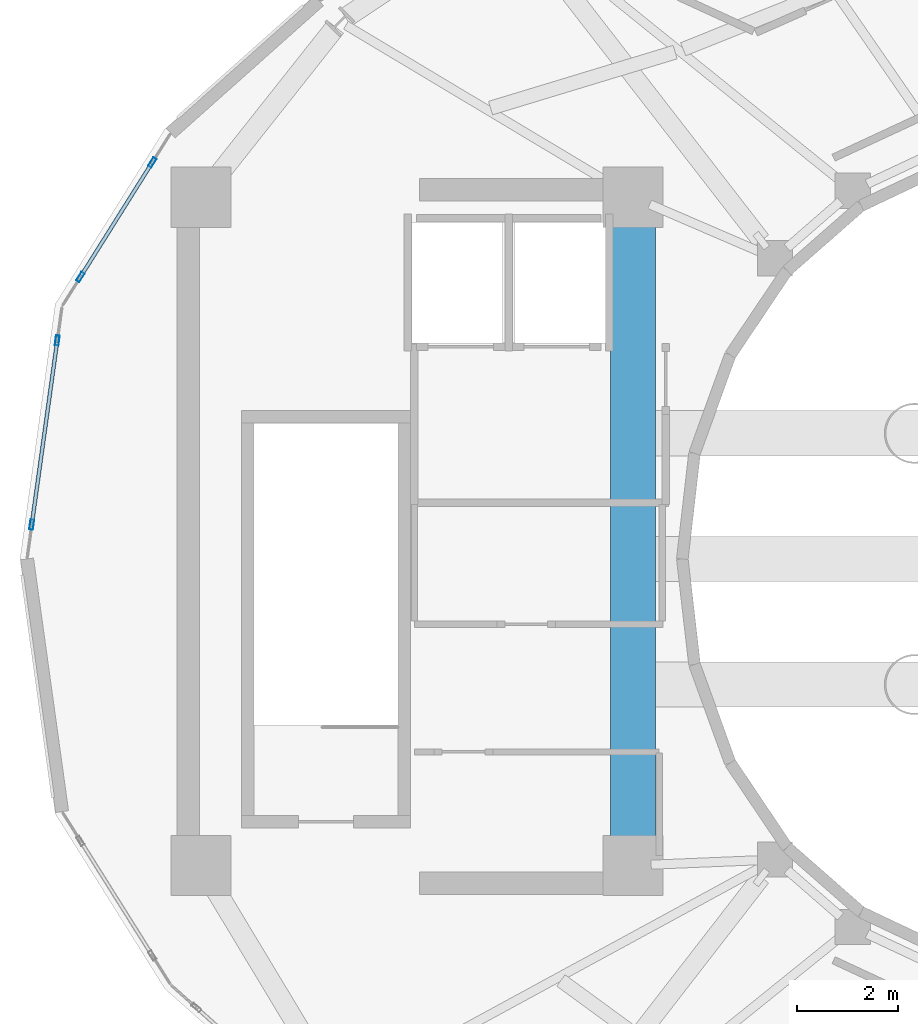
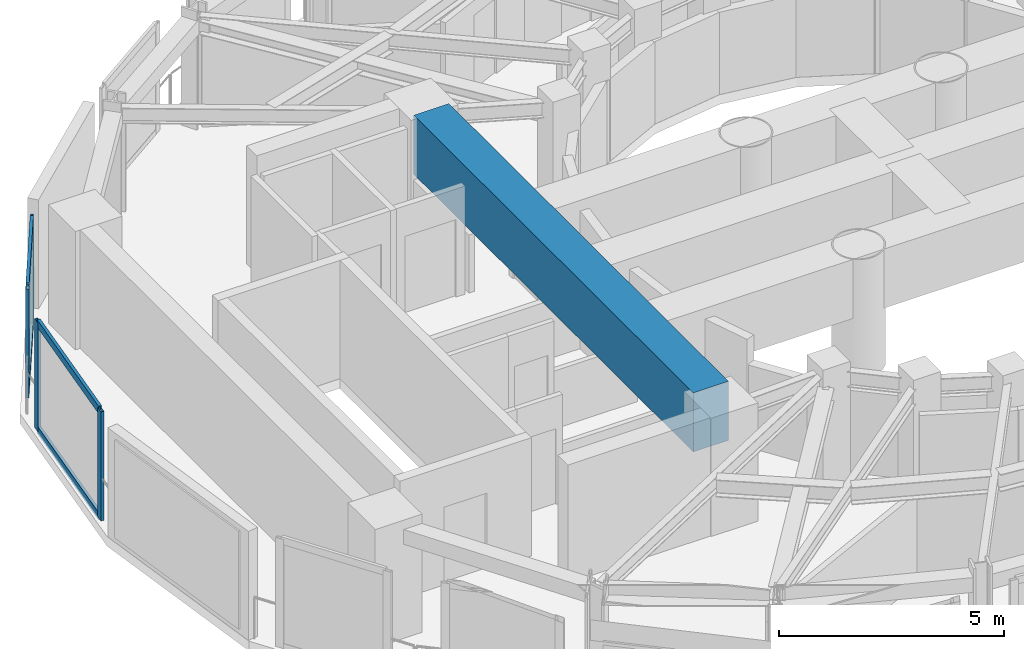
# One storey, part 8 of 17: 8 members, 1 beam, 2 elements without a shape of their own.
"""IFC4 building model written with IfcOpenShell, lengths in metres."""

from ifc_helpers import new_model, si_unit, direction, frame, origin, origin_2d, place, context, subcontext, project, spatial, rectangle, hollow_rectangle, extrude, material, layer, layer_set, material_profile, profile_set, type_object, element, aggregate, save


model = new_model("IFC4")

# Units and contexts
model_context = context("Model", 3, precision=1e-05, world=origin(), true_north=direction((0.0, 1.0)))
body_context = subcontext(model_context, "Body", "Model", "MODEL_VIEW")
ifc_project = project(units=[si_unit("LENGTHUNIT", "METRE"), si_unit("AREAUNIT", "SQUARE_METRE"), si_unit("VOLUMEUNIT", "CUBIC_METRE"), si_unit("PLANEANGLEUNIT", "RADIAN"), si_unit("MASSUNIT", "GRAM", prefix="KILO")], contexts=[model_context])

# Site, building, storey
site_placement = place(None, origin())
site = spatial("IfcSite", under=ifc_project, at=site_placement, CompositionType="ELEMENT")
building_placement = place(site_placement, origin())
building = spatial("IfcBuilding", under=site, at=building_placement, Name="Solvane Sanctuary Tower", CompositionType="ELEMENT")
storey_placement = place(building_placement, frame((0.0, 0.0, 276.39990234375)))
storey = spatial("IfcBuildingStorey", under=building, at=storey_placement, Name="L84", CompositionType="ELEMENT", Elevation=276.39990234375)

# Beam
ifc_material_1 = material(Name="Concrete C60/75", Category="concrete")
ifc_material_profile_1 = material_profile(ifc_material_1, rectangle(XDim=0.89990234375, YDim=1.60009765625, at=origin_2d()), Name="RC900X1600")
ifc_profile_set_1 = profile_set([ifc_material_profile_1], Name="Concrete C60/75")
beam_type = type_object("IfcBeamType", Name="Beam B-XFER-SP RC900X1600", PredefinedType="BEAM", material=ifc_profile_set_1)
beam_placement = place(storey_placement, frame((23.89990234375, 17.35009765625, 2.400146484375), z_axis=(0.0, 1.0, 0.0), x_axis=(-1.0, 0.0, 0.0)))
element("IfcBeam", 1, at=beam_placement, inside=storey, type_object=beam_type, Name="L84 Roof Spire West Core Girder", PredefinedType="BEAM", context=body_context, shape_type="SweptSolid", body=[
    extrude(rectangle(XDim=0.89990234375, YDim=1.60009765625, at=origin_2d()), origin(), (0.0, 0.0, 1.0), 12.39990234375),
])

# Curtain wall, members
ifc_material_2 = material(Name="Anodised Aluminium 6063-T6", Category="aluminium")
ifc_layer = layer(ifc_material_2, 0.219970703125, Name="Anodised Aluminium 6063-T6")
ifc_layer_set = layer_set([ifc_layer], Name="Anodised Aluminium 6063-T6")
curtain_wall_type = type_object("IfcCurtainWallType", Name="Curtain Wall CW-CROWN", PredefinedType="NOTDEFINED", material=ifc_layer_set)
curtain_wall_1_placement = place(storey_placement, origin())
curtain_wall_1 = element("IfcCurtainWall", 2, at=curtain_wall_1_placement, inside=storey, type_object=curtain_wall_type, Name="L84 Crown Fritted Lantern Curtain Wall 10", PredefinedType="NOTDEFINED")
ifc_material_profile_2 = material_profile(ifc_material_2, hollow_rectangle(XDim=0.074951171875, YDim=0.199951171875, WallThickness=0.00390625, at=origin_2d()), Name="ALU200X75X4")
ifc_profile_set_2 = profile_set([ifc_material_profile_2], Name="Anodised Aluminium 6063-T6")
member_type_1 = type_object("IfcMemberType", Name="Member M-CW-MUL-1 ALU200X75X4", PredefinedType="MULLION", material=ifc_profile_set_2)
member_1_placement = place(storey_placement, frame((14.332763671875, 30.89111328125, 0.0), z_axis=(0.0, 0.0, 1.0), x_axis=(0.847126400009, -0.531391439909, 0.0)))
member_1 = element("IfcMember", 3, at=member_1_placement, type_object=member_type_1, Name="CW-CROWN mullion 1", PredefinedType="MULLION", context=body_context, shape_type="SweptSolid", body=[
    extrude(hollow_rectangle(XDim=0.074951171875, YDim=0.199951171875, WallThickness=0.00390625, at=origin_2d()), origin(), (0.0, 0.0, 1.0), 2.9501953125),
])
member_2_placement = place(storey_placement, frame((12.90185546875, 28.610107421875, 0.0), z_axis=(0.0, 0.0, 1.0), x_axis=(0.847126400009, -0.531391439909, 0.0)))
member_2 = element("IfcMember", 4, at=member_2_placement, type_object=member_type_1, Name="CW-CROWN mullion 2", PredefinedType="MULLION", context=body_context, shape_type="SweptSolid", body=[
    extrude(hollow_rectangle(XDim=0.074951171875, YDim=0.199951171875, WallThickness=0.00390625, at=origin_2d()), origin(), (0.0, 0.0, 1.0), 2.9501953125),
])

curtain_wall_2_placement = place(storey_placement, origin())
curtain_wall_2 = element("IfcCurtainWall", 5, at=curtain_wall_2_placement, inside=storey, type_object=curtain_wall_type, Name="L84 Crown Fritted Lantern Curtain Wall 11", PredefinedType="NOTDEFINED")
member_3_placement = place(storey_placement, frame((12.442138671875, 27.3466796875, 0.0), z_axis=(0.0, 0.0, 1.0), x_axis=(0.990540232027, -0.137222624725, 0.0)))
member_3 = element("IfcMember", 6, at=member_3_placement, type_object=member_type_1, Name="CW-CROWN mullion 1", PredefinedType="MULLION", context=body_context, shape_type="SweptSolid", body=[
    extrude(hollow_rectangle(XDim=0.074951171875, YDim=0.199951171875, WallThickness=0.00390625, at=origin_2d()), origin(), (0.0, 0.0, 1.0), 2.9501953125),
])
member_4_placement = place(storey_placement, frame((11.934326171875, 23.68115234375, 0.0), z_axis=(0.0, 0.0, 1.0), x_axis=(0.990540232027, -0.137222624725, 0.0)))
member_4 = element("IfcMember", 7, at=member_4_placement, type_object=member_type_1, Name="CW-CROWN mullion 2", PredefinedType="MULLION", context=body_context, shape_type="SweptSolid", body=[
    extrude(hollow_rectangle(XDim=0.074951171875, YDim=0.199951171875, WallThickness=0.00390625, at=origin_2d()), origin(), (0.0, 0.0, 1.0), 2.9501953125),
])

# Member
ifc_material_profile_3 = material_profile(ifc_material_2, hollow_rectangle(XDim=0.074951171875, YDim=0.199951171875, WallThickness=0.00390625, at=origin_2d()), Name="ALU200X75X4")
ifc_profile_set_3 = profile_set([ifc_material_profile_3], Name="Anodised Aluminium 6063-T6")
member_type_2 = type_object("IfcMemberType", Name="Member M-CW-TRN-2 ALU200X75X4", PredefinedType="USERDEFINED", material=ifc_profile_set_3)
member_5_placement = place(storey_placement, frame((14.312744140625, 30.859375, 0.03759765625), z_axis=(-0.531348035337, -0.847153625586, 0.0), x_axis=(0.847153625586, -0.531348035337, 0.0)))
member_5 = element("IfcMember", 8, at=member_5_placement, type_object=member_type_2, Name="CW-CROWN transom 1.1", ObjectType="TRANSOM", PredefinedType="USERDEFINED", context=body_context, shape_type="SweptSolid", body=[
    extrude(hollow_rectangle(XDim=0.074951171875, YDim=0.199951171875, WallThickness=0.00390625, at=origin_2d()), origin(), (0.0, 0.0, 1.0), 2.61767578125),
])

member_6_placement = place(storey_placement, frame((14.312744140625, 30.859375, 2.91259765625), z_axis=(-0.531348035337, -0.847153625586, 0.0), x_axis=(0.847153625586, -0.531348035337, 0.0)))
member_6 = element("IfcMember", 9, at=member_6_placement, type_object=member_type_2, Name="CW-CROWN transom 1.2", ObjectType="TRANSOM", PredefinedType="USERDEFINED", context=body_context, shape_type="SweptSolid", body=[
    extrude(hollow_rectangle(XDim=0.074951171875, YDim=0.199951171875, WallThickness=0.00390625, at=origin_2d()), origin(), (0.0, 0.0, 1.0), 2.61767578125),
])

aggregate(curtain_wall_1, [member_1, member_2, member_5, member_6])

member_7_placement = place(storey_placement, frame((12.43701171875, 27.3095703125, 0.03759765625), z_axis=(-0.137234376268, -0.990538603978, 0.0), x_axis=(0.990538603978, -0.137234376268, 0.0)))
member_7 = element("IfcMember", 10, at=member_7_placement, type_object=member_type_2, Name="CW-CROWN transom 1.1", ObjectType="TRANSOM", PredefinedType="USERDEFINED", context=body_context, shape_type="SweptSolid", body=[
    extrude(hollow_rectangle(XDim=0.074951171875, YDim=0.199951171875, WallThickness=0.00390625, at=origin_2d()), origin(), (0.0, 0.0, 1.0), 3.625732421875),
])

member_8_placement = place(storey_placement, frame((12.43701171875, 27.3095703125, 2.91259765625), z_axis=(-0.137234376268, -0.990538603978, 0.0), x_axis=(0.990538603978, -0.137234376268, 0.0)))
member_8 = element("IfcMember", 11, at=member_8_placement, type_object=member_type_2, Name="CW-CROWN transom 1.2", ObjectType="TRANSOM", PredefinedType="USERDEFINED", context=body_context, shape_type="SweptSolid", body=[
    extrude(hollow_rectangle(XDim=0.074951171875, YDim=0.199951171875, WallThickness=0.00390625, at=origin_2d()), origin(), (0.0, 0.0, 1.0), 3.625732421875),
])

aggregate(curtain_wall_2, [member_3, member_4, member_7, member_8])

save(model, "model.ifc")
